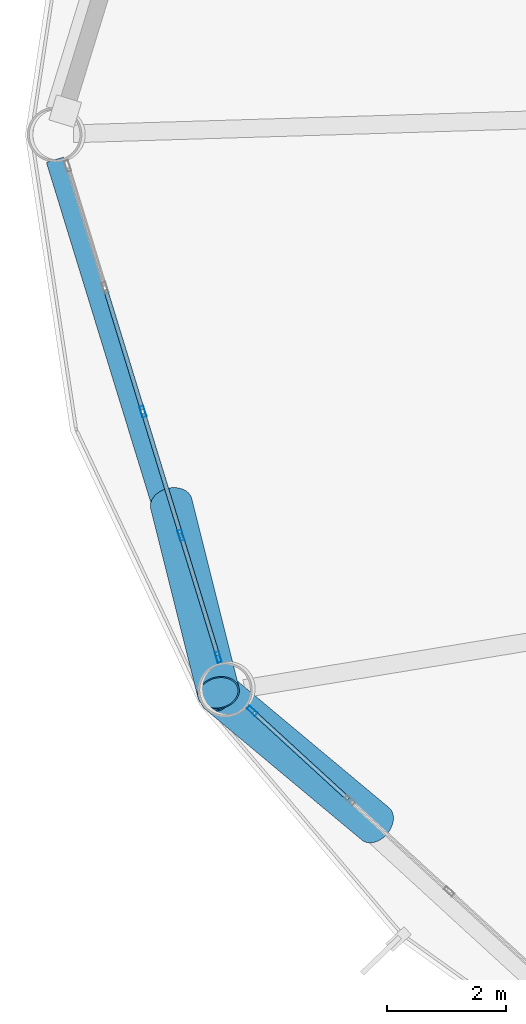
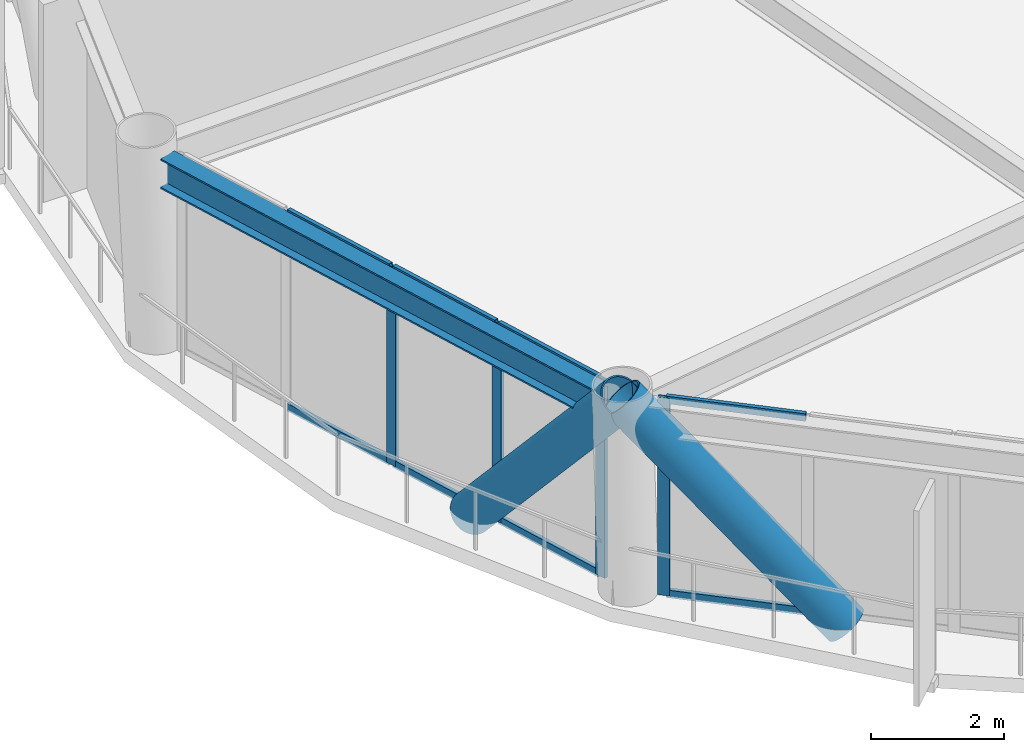
# One storey, part 5 of 25: 14 members, 1 beam, 2 elements without a shape of their own.
"""IFC4 building model written with IfcOpenShell, lengths in metres."""

from ifc_helpers import new_model, si_unit, direction, frame, origin, origin_2d, place, context, subcontext, project, spatial, hollow_rectangle, hollow_circle, i_section, extrude, material, layer, layer_set, material_profile, profile_set, type_object, element, aggregate, save


model = new_model("IFC4")

# Units and contexts
model_context = context("Model", 3, precision=1e-05, world=origin(), true_north=direction((0.0, 1.0)))
body_context = subcontext(model_context, "Body", "Model", "MODEL_VIEW")
ifc_project = project(units=[si_unit("LENGTHUNIT", "METRE"), si_unit("AREAUNIT", "SQUARE_METRE"), si_unit("VOLUMEUNIT", "CUBIC_METRE"), si_unit("PLANEANGLEUNIT", "RADIAN"), si_unit("MASSUNIT", "GRAM", prefix="KILO")], contexts=[model_context])

# Site, building, storey
site_placement = place(None, origin())
site = spatial("IfcSite", under=ifc_project, at=site_placement, CompositionType="ELEMENT")
building_placement = place(site_placement, origin())
building = spatial("IfcBuilding", under=site, at=building_placement, Name="Varnakorn Sky Granary", CompositionType="ELEMENT")
storey_placement = place(building_placement, frame((0.0, 0.0, 35.39990234375)))
storey = spatial("IfcBuildingStorey", under=building, at=storey_placement, Name="L08", CompositionType="ELEMENT", Elevation=35.39990234375)

# Beam
ifc_material_1 = material(Name="Steel S355JR", Category="steel")
ifc_material_profile_1 = material_profile(ifc_material_1, i_section(OverallWidth=0.300048828125, OverallDepth=0.550048828125, WebThickness=0.014892578125, FlangeThickness=0.029052734375, at=origin_2d()), Name="HE 550 B")
ifc_profile_set_1 = profile_set([ifc_material_profile_1], Name="Steel S355JR")
beam_type = type_object("IfcBeamType", Name="BM-SPD-Z1", PredefinedType="SPANDREL", material=ifc_profile_set_1)
beam_placement = place(storey_placement, frame((-21.976318359375, -0.422607421875, 3.364990234375), z_axis=(0.293462750827, -0.955970508895, 0.0), x_axis=(0.955970508895, 0.293462750827, 0.0)))
element("IfcBeam", 1, at=beam_placement, inside=storey, type_object=beam_type, Name="Perimeter Spandrel Ring Beam RB07 L08", PredefinedType="SPANDREL", context=body_context, shape_type="SweptSolid", body=[
    extrude(i_section(OverallWidth=0.300048828125, OverallDepth=0.550048828125, WebThickness=0.014892578125, FlangeThickness=0.029052734375, at=origin_2d()), origin(), (0.0, 0.0, 1.0), 8.921630859375),
])

# Curtain wall, members
ifc_material_2 = material(Name="Anodised Bronze Aluminium Alloy 6063-T6", Category="aluminium")
ifc_layer = layer(ifc_material_2, 0.18994140625, Name="Anodised Bronze Aluminium Alloy 6063-T6")
ifc_layer_set = layer_set([ifc_layer], Name="Anodised Bronze Aluminium Alloy 6063-T6")
curtain_wall_type = type_object("IfcCurtainWallType", Name="CW-FRM-1", PredefinedType="USERDEFINED", material=ifc_layer_set)
curtain_wall_1_placement = place(storey_placement, origin())
curtain_wall_1 = element("IfcCurtainWall", 2, at=curtain_wall_1_placement, inside=storey, type_object=curtain_wall_type, Name="Unitised Curtain Wall CW3 CW-L08-B07", ObjectType="CURTAIN WALL", PredefinedType="USERDEFINED")
ifc_material_profile_2 = material_profile(ifc_material_2, hollow_rectangle(XDim=0.070068359375, YDim=0.18505859375, WallThickness=0.00390625, at=origin_2d()), Name="ALU MULL 70x185")
ifc_profile_set_2 = profile_set([ifc_material_profile_2], Name="Anodised Bronze Aluminium Alloy 6063-T6")
member_type_1 = type_object("IfcMemberType", Name="CW-FRM-1-MULL", PredefinedType="MULLION", material=ifc_profile_set_2)
member_1_placement = place(storey_placement, frame((-19.232666015625, -8.775146484375, 0.0), z_axis=(0.0, 0.0, 1.0), x_axis=(-0.956046128489, -0.293216302756, 0.0)))
member_1 = element("IfcMember", 3, at=member_1_placement, type_object=member_type_1, Name="CW3 mullion 1", PredefinedType="MULLION", context=body_context, shape_type="SweptSolid", body=[
    extrude(hollow_rectangle(XDim=0.070068359375, YDim=0.18505859375, WallThickness=0.00390625, at=origin_2d()), origin(), (0.0, 0.0, 1.0), 3.64013671875),
])
member_2_placement = place(storey_placement, frame((-19.85986328125, -6.72998046875, 0.0), z_axis=(0.0, 0.0, 1.0), x_axis=(-0.956046128489, -0.293216302756, 0.0)))
member_2 = element("IfcMember", 4, at=member_2_placement, type_object=member_type_1, Name="CW3 mullion 2", PredefinedType="MULLION", context=body_context, shape_type="SweptSolid", body=[
    extrude(hollow_rectangle(XDim=0.070068359375, YDim=0.18505859375, WallThickness=0.00390625, at=origin_2d()), origin(), (0.0, 0.0, 1.0), 3.64013671875),
])
member_3_placement = place(storey_placement, frame((-20.497314453125, -4.651611328125, 0.0), z_axis=(0.0, 0.0, 1.0), x_axis=(-0.956046128489, -0.293216302756, 0.0)))
member_3 = element("IfcMember", 5, at=member_3_placement, type_object=member_type_1, Name="CW3 mullion 3", PredefinedType="MULLION", context=body_context, shape_type="SweptSolid", body=[
    extrude(hollow_rectangle(XDim=0.070068359375, YDim=0.18505859375, WallThickness=0.00390625, at=origin_2d()), origin(), (0.0, 0.0, 1.0), 3.64013671875),
])

# Curtain wall, member
curtain_wall_2_placement = place(storey_placement, origin())
curtain_wall_2 = element("IfcCurtainWall", 6, at=curtain_wall_2_placement, inside=storey, type_object=curtain_wall_type, Name="Unitised Curtain Wall CW3 CW-L08-B08", ObjectType="CURTAIN WALL", PredefinedType="USERDEFINED")
member_4_placement = place(storey_placement, frame((-18.6640625, -9.676025390625, 0.0), z_axis=(0.0, 0.0, 1.0), x_axis=(-0.675878356504, -0.737013193375, 0.0)))
member_4 = element("IfcMember", 7, at=member_4_placement, type_object=member_type_1, Name="CW3 mullion 5", PredefinedType="MULLION", context=body_context, shape_type="SweptSolid", body=[
    extrude(hollow_rectangle(XDim=0.070068359375, YDim=0.18505859375, WallThickness=0.00390625, at=origin_2d()), origin(), (0.0, 0.0, 1.0), 3.64013671875),
])

# Member
ifc_material_profile_3 = material_profile(ifc_material_2, hollow_rectangle(XDim=0.070068359375, YDim=0.139892578125, WallThickness=0.00341796875, at=origin_2d()), Name="ALU TRAN 70x140")
ifc_profile_set_3 = profile_set([ifc_material_profile_3], Name="Anodised Bronze Aluminium Alloy 6063-T6")
member_type_2 = type_object("IfcMemberType", Name="CW-FRM-1-TRAN", PredefinedType="USERDEFINED", material=ifc_profile_set_3)
member_5_placement = place(storey_placement, frame((-19.242919921875, -8.74169921875, 0.03515625), z_axis=(-0.29323166172, 0.956041417808, 0.0), x_axis=(-0.956041417808, -0.29323166172, 0.0)))
member_5 = element("IfcMember", 8, at=member_5_placement, type_object=member_type_2, Name="CW3 transom 1.1", ObjectType="TRANSOM", PredefinedType="USERDEFINED", context=body_context, shape_type="SweptSolid", body=[
    extrude(hollow_rectangle(XDim=0.070068359375, YDim=0.139892578125, WallThickness=0.00341796875, at=origin_2d()), origin(), (0.0, 0.0, 1.0), 2.069091796875),
])

member_6_placement = place(storey_placement, frame((-19.242919921875, -8.74169921875, 3.60498046875), z_axis=(-0.29323166172, 0.956041417808, 0.0), x_axis=(-0.956041417808, -0.29323166172, 0.0)))
member_6 = element("IfcMember", 9, at=member_6_placement, type_object=member_type_2, Name="CW3 transom 1.2", ObjectType="TRANSOM", PredefinedType="USERDEFINED", context=body_context, shape_type="SweptSolid", body=[
    extrude(hollow_rectangle(XDim=0.070068359375, YDim=0.139892578125, WallThickness=0.00341796875, at=origin_2d()), origin(), (0.0, 0.0, 1.0), 2.069091796875),
])

member_7_placement = place(storey_placement, frame((-19.8701171875, -6.696533203125, 0.03515625), z_axis=(-0.293229554112, 0.956042064239, 0.0), x_axis=(-0.956042064239, -0.293229554112, 0.0)))
member_7 = element("IfcMember", 10, at=member_7_placement, type_object=member_type_2, Name="CW3 transom 2.1", ObjectType="TRANSOM", PredefinedType="USERDEFINED", context=body_context, shape_type="SweptSolid", body=[
    extrude(hollow_rectangle(XDim=0.070068359375, YDim=0.139892578125, WallThickness=0.00341796875, at=origin_2d()), origin(), (0.0, 0.0, 1.0), 2.10400390625),
])

member_8_placement = place(storey_placement, frame((-19.8701171875, -6.696533203125, 3.60498046875), z_axis=(-0.293229554112, 0.956042064239, 0.0), x_axis=(-0.956042064239, -0.293229554112, 0.0)))
member_8 = element("IfcMember", 11, at=member_8_placement, type_object=member_type_2, Name="CW3 transom 2.2", ObjectType="TRANSOM", PredefinedType="USERDEFINED", context=body_context, shape_type="SweptSolid", body=[
    extrude(hollow_rectangle(XDim=0.070068359375, YDim=0.139892578125, WallThickness=0.00341796875, at=origin_2d()), origin(), (0.0, 0.0, 1.0), 2.10400390625),
])

member_9_placement = place(storey_placement, frame((-20.507568359375, -4.617919921875, 0.03515625), z_axis=(-0.29333560989, 0.956009529226, 0.0), x_axis=(-0.956009529226, -0.29333560989, 0.0)))
member_9 = element("IfcMember", 12, at=member_9_placement, type_object=member_type_2, Name="CW3 transom 3.1", ObjectType="TRANSOM", PredefinedType="USERDEFINED", context=body_context, shape_type="SweptSolid", body=[
    extrude(hollow_rectangle(XDim=0.070068359375, YDim=0.139892578125, WallThickness=0.00341796875, at=origin_2d()), origin(), (0.0, 0.0, 1.0), 2.10400390625),
])

member_10_placement = place(storey_placement, frame((-20.507568359375, -4.617919921875, 3.60498046875), z_axis=(-0.29333560989, 0.956009529226, 0.0), x_axis=(-0.956009529226, -0.29333560989, 0.0)))
member_10 = element("IfcMember", 13, at=member_10_placement, type_object=member_type_2, Name="CW3 transom 3.2", ObjectType="TRANSOM", PredefinedType="USERDEFINED", context=body_context, shape_type="SweptSolid", body=[
    extrude(hollow_rectangle(XDim=0.070068359375, YDim=0.139892578125, WallThickness=0.00341796875, at=origin_2d()), origin(), (0.0, 0.0, 1.0), 2.10400390625),
])

aggregate(curtain_wall_1, [member_1, member_2, member_3, member_5, member_6, member_7, member_8, member_9, member_10])

member_11_placement = place(storey_placement, frame((-17.049560546875, -11.15673828125, 0.03515625), z_axis=(-0.736970763083, 0.675924621804, 0.0), x_axis=(-0.675924621804, -0.736970763083, 0.0)))
member_11 = element("IfcMember", 14, at=member_11_placement, type_object=member_type_2, Name="CW3 transom 4.1", ObjectType="TRANSOM", PredefinedType="USERDEFINED", context=body_context, shape_type="SweptSolid", body=[
    extrude(hollow_rectangle(XDim=0.070068359375, YDim=0.139892578125, WallThickness=0.00341796875, at=origin_2d()), origin(), (0.0, 0.0, 1.0), 2.155517578125),
])

member_12_placement = place(storey_placement, frame((-17.049560546875, -11.15673828125, 3.60498046875), z_axis=(-0.736970763083, 0.675924621804, 0.0), x_axis=(-0.675924621804, -0.736970763083, 0.0)))
member_12 = element("IfcMember", 15, at=member_12_placement, type_object=member_type_2, Name="CW3 transom 4.2", ObjectType="TRANSOM", PredefinedType="USERDEFINED", context=body_context, shape_type="SweptSolid", body=[
    extrude(hollow_rectangle(XDim=0.070068359375, YDim=0.139892578125, WallThickness=0.00341796875, at=origin_2d()), origin(), (0.0, 0.0, 1.0), 2.155517578125),
])

aggregate(curtain_wall_2, [member_4, member_11, member_12])

# Members
ifc_material_3 = material(Name="Steel S460M", Category="steel")
ifc_material_profile_4 = material_profile(ifc_material_3, hollow_circle(Radius=0.35546875, WallThickness=0.02490234375, at=origin_2d()), Name="CHS 711x25")
ifc_profile_set_4 = profile_set([ifc_material_profile_4], Name="Steel S460M")
member_type_3 = type_object("IfcMemberType", Name="MB-DIAG-T0", PredefinedType="BRACE", material=ifc_profile_set_4)
member_13_placement = place(storey_placement, frame((-20.02197265625, -6.201904296875, -0.1298828125), z_axis=(0.158993905916, -0.63563317525, 0.755441198508), x_axis=(0.970111748275, 0.242658599392, 0.0)))
element("IfcMember", 16, at=member_13_placement, inside=storey, type_object=member_type_3, Name="Perimeter CHS Diagrid Brace DG07 L08", PredefinedType="BRACE", context=body_context, shape_type="SweptSolid", body=[
    extrude(hollow_circle(Radius=0.35546875, WallThickness=0.02490234375, at=origin_2d()), origin(), (0.0, 0.0, 1.0), 4.990478515625),
])
member_14_placement = place(storey_placement, frame((-16.595458984375, -11.572998046875, -0.1298828125), z_axis=(-0.516568466605, 0.431407712444, 0.739624502672), x_axis=(-0.641003042082, -0.767538337832, 0.0)))
element("IfcMember", 17, at=member_14_placement, inside=storey, type_object=member_type_3, Name="Perimeter CHS Diagrid Brace DG08 L08", PredefinedType="BRACE", context=body_context, shape_type="SweptSolid", body=[
    extrude(hollow_circle(Radius=0.35546875, WallThickness=0.02490234375, at=origin_2d()), origin(), (0.0, 0.0, 1.0), 5.09716796875),
])

save(model, "model.ifc")
